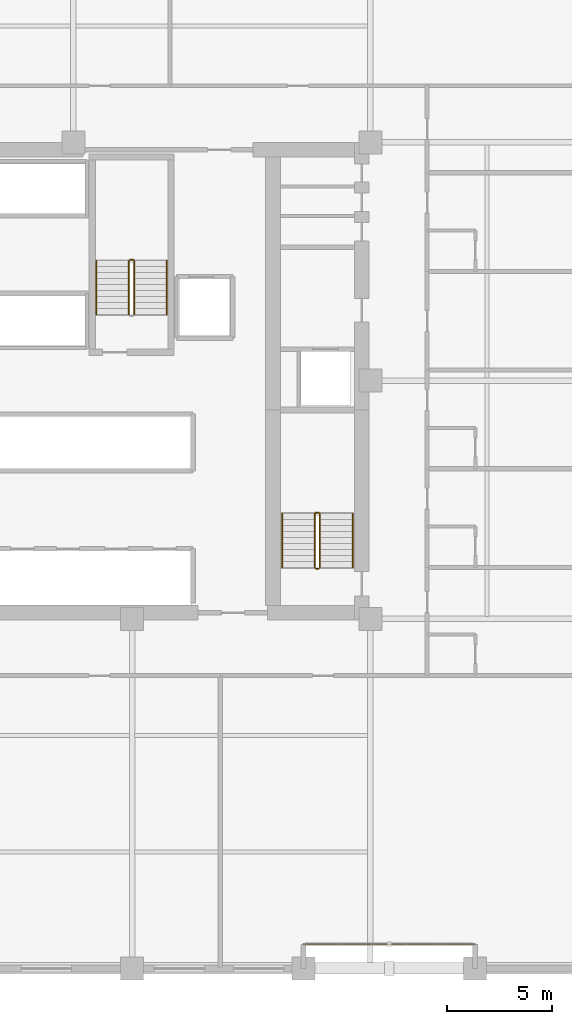
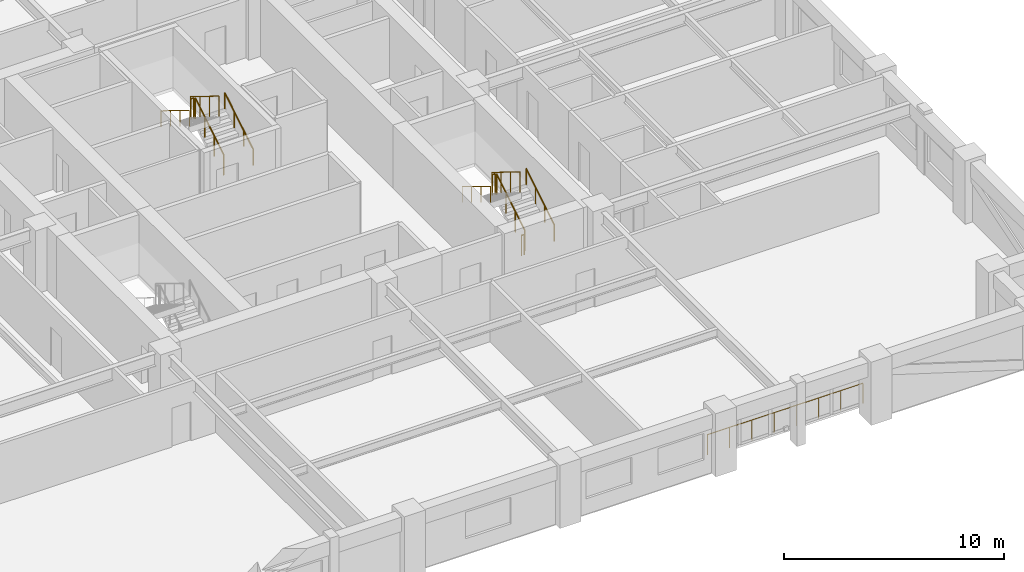
# One storey, part 11 of 11: 12 railings.
"""IFC4 building model written with IfcOpenShell, lengths in metres."""

import ifcopenshell
import ifcopenshell.guid

model = None  # the IFC model being written
_history = None  # IfcOwnerHistory: only IFC2X3 demands one
_inside = {}  # id of a spatial element -> (the spatial element, [elements in it])
_under = {}  # id of a project, library or spatial element -> (it, [spatial elements below it])
_declared = {}  # id of a project -> (the project, [libraries it declares])
_typed = {}  # id of a type object -> (the type object, [elements of that type])
_made_of = {}  # id of a material, layer set ... -> (it, [elements and type objects made of it])


def new_model(schema):
    """Start an empty IFC model of exactly this schema.

    Asked for "IFC4X3", IfcOpenShell would pick the latest addendum, in which some entities
    have other attributes; the version numbers below select the first issue.
    IFC2X3 requires an IfcOwnerHistory on every rooted entity: one is made here for all.
    """
    global model, _history
    if schema == "IFC4X3":
        model = ifcopenshell.file(schema_version=(4, 3, 0, 0))
    else:
        model = ifcopenshell.file(schema=schema)
    _inside.clear()
    _under.clear()
    _declared.clear()
    _typed.clear()
    _made_of.clear()
    _history = None
    if model.schema == "IFC2X3":
        org = make("IfcOrganization", Name="unknown")
        user = make(
            "IfcPersonAndOrganization",
            ThePerson=make("IfcPerson", FamilyName="unknown"),
            TheOrganization=org,
        )
        app = make(
            "IfcApplication",
            ApplicationDeveloper=org,
            Version="unknown",
            ApplicationFullName="unknown",
            ApplicationIdentifier="unknown",
        )
        _history = make(
            "IfcOwnerHistory",
            OwningUser=user,
            OwningApplication=app,
            ChangeAction="ADDED",
            CreationDate=0,
        )
    return model


def make(cls, **values):
    """One entity of the class cls with the attributes given. An attribute that is None is left unset."""
    return model.create_entity(
        cls, **{name: value for name, value in values.items() if value is not None}
    )


def rooted(cls, **values):
    """An entity with a GlobalId (a new one), such as an element, a storey or a relation."""
    return make(cls, GlobalId=ifcopenshell.guid.new(), OwnerHistory=_history, **values)


def si_unit(unit_type, name, prefix=None):
    """IfcSIUnit, for example si_unit("LENGTHUNIT", "METRE", prefix="MILLI")."""
    return make("IfcSIUnit", UnitType=unit_type, Prefix=prefix, Name=name)


def assignment(units):
    """IfcUnitAssignment: the units of a project."""
    return None if units is None else make("IfcUnitAssignment", Units=units)


def point(xyz):
    """IfcCartesianPoint."""
    return None if xyz is None else make("IfcCartesianPoint", Coordinates=xyz)


def direction(xyz):
    """IfcDirection."""
    return None if xyz is None else make("IfcDirection", DirectionRatios=xyz)


def frame(location, z_axis=None, x_axis=None):
    """IfcAxis2Placement3D, a coordinate frame: its origin and axes. An axis left out is left unset."""
    return make(
        "IfcAxis2Placement3D",
        Location=point(location),
        Axis=direction(z_axis),
        RefDirection=direction(x_axis),
    )


def frame_2d(location, x_axis=None):
    """IfcAxis2Placement2D, a coordinate frame in the plane: its origin and x axis."""
    return make(
        "IfcAxis2Placement2D", Location=point(location), RefDirection=direction(x_axis)
    )


def origin():
    """The frame at (0, 0, 0) with its axes left unset."""
    return frame((0.0, 0.0, 0.0))


def origin_2d():
    """The frame at (0, 0) in the plane with its x axis left unset."""
    return frame_2d((0.0, 0.0))


def place(relative_to, where):
    """IfcLocalPlacement: puts the frame where relative to a parent placement (None: the world)."""
    return make(
        "IfcLocalPlacement", PlacementRelTo=relative_to, RelativePlacement=where
    )


def context(
    kind, dimensions, precision=None, world=None, true_north=None, identifier=None
):
    """IfcGeometricRepresentationContext, for example the 3D "Model" context."""
    return make(
        "IfcGeometricRepresentationContext",
        ContextIdentifier=identifier,
        ContextType=kind,
        CoordinateSpaceDimension=dimensions,
        Precision=precision,
        WorldCoordinateSystem=world,
        TrueNorth=true_north,
    )


def subcontext(parent, identifier, kind, view, scale=None):
    """IfcGeometricRepresentationSubContext, for example "Body" below "Model"."""
    return make(
        "IfcGeometricRepresentationSubContext",
        ContextIdentifier=identifier,
        ContextType=kind,
        ParentContext=parent,
        TargetScale=scale,
        TargetView=view,
    )


def project(units=None, contexts=None):
    """IfcProject with its units and contexts."""
    return rooted(
        "IfcProject",
        Name="project",
        RepresentationContexts=contexts,
        UnitsInContext=assignment(units),
    )


def spatial(cls, under=None, at=None, **own):
    """A site, building, storey or space (cls), placed at a placement, below another one or the project."""
    s = rooted(cls, ObjectPlacement=at, **own)
    if under is not None:
        _under.setdefault(under.id(), (under, []))[1].append(s)
    return s


def profile(cls, at=None, kind="AREA", **sizes):
    """A parametric profile (cls). Its sizes go by their IFC names, for example OverallWidth=200.0."""
    return make(cls, ProfileType=kind, Position=at, **sizes)


def circle(**sizes):
    """IfcCircleProfileDef."""
    return profile("IfcCircleProfileDef", **sizes)


def extrude(swept, where, along, depth):
    """IfcExtrudedAreaSolid: the profile swept, set in the frame where, extruded along a direction by depth."""
    return make(
        "IfcExtrudedAreaSolid",
        SweptArea=swept,
        Position=where,
        ExtrudedDirection=direction(along),
        Depth=depth,
    )


def shape(context_of_items, identifier, shape_type, items):
    """IfcShapeRepresentation: the items that make up one representation, for example the "Body"."""
    return make(
        "IfcShapeRepresentation",
        ContextOfItems=context_of_items,
        RepresentationIdentifier=identifier,
        RepresentationType=shape_type,
        Items=items,
    )


def material(Name=None, Category=None):
    """IfcMaterial."""
    return make("IfcMaterial", Name=Name, Category=Category)


def made_of(thing, what):
    """Note that an element or type object is made of a material, layer set ...; save() writes the relation."""
    if what is not None:
        _made_of.setdefault(what.id(), (what, []))[1].append(thing)
    return thing


def type_object(cls, material=None, **own):
    """A type object (cls), such as IfcWallType, which elements share."""
    return made_of(rooted(cls, **own), material)


def element(
    cls,
    number,
    at=None,
    inside=None,
    cuts=None,
    type_object=None,
    material=None,
    context=None,
    identifier="Body",
    shape_type=None,
    held_by="IfcProductDefinitionShape",
    body=None,
    shapes=None,
    **own,
):
    """One element of the class cls, such as IfcWall. Its Tag is "e" and its number.

    at: its placement. inside: the storey or other place that contains it. cuts: it is an
    opening in that element (IfcRelVoidsElement). A single representation is given by context,
    identifier, shape_type and body (its items); several are given by shapes. held_by: the class
    of the entity that holds the representations. save() writes the other relations.
    """
    e = rooted(cls, Tag="e%d" % number, ObjectPlacement=at, **own)
    if body is not None:
        shapes = [shape(context, identifier, shape_type, body)]
    if shapes is not None:
        e.Representation = make(held_by, Representations=shapes)
    if inside is not None:
        _inside.setdefault(inside.id(), (inside, []))[1].append(e)
    if cuts is not None:
        rooted(
            "IfcRelVoidsElement", RelatingBuildingElement=cuts, RelatedOpeningElement=e
        )
    if type_object is not None:
        _typed.setdefault(type_object.id(), (type_object, []))[1].append(e)
    return made_of(e, material)


def aggregate(whole, parts):
    """IfcRelAggregates: a whole, such as a stair, and the parts it consists of."""
    return rooted("IfcRelAggregates", RelatingObject=whole, RelatedObjects=parts)


def save(model, path):
    """Write the relations noted so far, then the file.

    IfcRelAggregates (storeys below a building ...), IfcRelContainedInSpatialStructure (elements
    in a storey), IfcRelDefinesByType, IfcRelAssociatesMaterial and IfcRelDeclares: one each for
    every whole, place, type object, material and project.
    """
    for whole, parts in _under.values():
        aggregate(whole, parts)
    for where, things in _inside.values():
        rooted(
            "IfcRelContainedInSpatialStructure",
            RelatedElements=things,
            RelatingStructure=where,
        )
    for kind, things in _typed.values():
        rooted("IfcRelDefinesByType", RelatedObjects=things, RelatingType=kind)
    for what, things in _made_of.values():
        rooted("IfcRelAssociatesMaterial", RelatedObjects=things, RelatingMaterial=what)
    for by, libraries in _declared.values():
        rooted("IfcRelDeclares", RelatingContext=by, RelatedDefinitions=libraries)
    model.write(path)


model = new_model("IFC4")

# Units and contexts
model_context = context("Model", 3, precision=1e-05, world=origin(), true_north=direction((0.0, 1.0)))
body_context = subcontext(model_context, "Body", "Model", "MODEL_VIEW")
ifc_project = project(units=[si_unit("LENGTHUNIT", "METRE"), si_unit("AREAUNIT", "SQUARE_METRE"), si_unit("VOLUMEUNIT", "CUBIC_METRE"), si_unit("PLANEANGLEUNIT", "RADIAN"), si_unit("MASSUNIT", "GRAM", prefix="KILO")], contexts=[model_context])

# Site, building, storey
site_placement = place(None, origin())
site = spatial("IfcSite", under=ifc_project, at=site_placement, CompositionType="ELEMENT")
building_placement = place(site_placement, origin())
building = spatial("IfcBuilding", under=site, at=building_placement, Name="Nhamokura Convention Tower", CompositionType="ELEMENT")
storey_placement = place(building_placement, frame((0.0, 0.0, 70.35009765625)))
storey = spatial("IfcBuildingStorey", under=building, at=storey_placement, Name="L16", CompositionType="ELEMENT", Elevation=70.35009765625)

# Railings
ifc_material_1 = material(Name="Anodised bronze stainless steel", Category="steel")
railing_type_1 = type_object("IfcRailingType", Name="StairWallHandrail_900", PredefinedType="HANDRAIL", material=ifc_material_1)
railing_1_placement = place(storey_placement, frame((42.5, 23.10009765625, 0.1748046875)))
element("IfcRailing", 1, at=railing_1_placement, inside=storey, type_object=railing_type_1, Name="L16 ST-02 stair handrail 1", PredefinedType="HANDRAIL", context=body_context, shape_type="SweptSolid", body=[
    extrude(circle(Radius=0.02392578125, at=origin_2d()), frame((0.0, 0.0, 0.8759765625), z_axis=(0.0, 0.85213695991, 0.523318833556), x_axis=(-1.0, 0.0, 0.0)), (0.0, 0.0, 1.0), 3.010009765625),
    extrude(circle(Radius=0.02099609375, at=origin_2d()), origin(), (0.0, 0.0, 1.0), 0.851806640625),
    extrude(circle(Radius=0.02099609375, at=origin_2d()), frame((0.0, 0.85498046875, 0.525146484375)), (0.0, 0.0, 1.0), 0.851806640625),
    extrude(circle(Radius=0.02099609375, at=origin_2d()), frame((0.0, 1.7099609375, 1.050048828125)), (0.0, 0.0, 1.0), 0.851806640625),
    extrude(circle(Radius=0.02099609375, at=origin_2d()), frame((0.0, 2.56494140625, 1.5751953125)), (0.0, 0.0, 1.0), 0.851806640625),
])
railing_2_placement = place(storey_placement, frame((39.14990234375, 25.6650390625, 1.9248046875)))
element("IfcRailing", 2, at=railing_2_placement, inside=storey, type_object=railing_type_1, Name="L16 ST-02 stair handrail 2", PredefinedType="HANDRAIL", context=body_context, shape_type="SweptSolid", body=[
    extrude(circle(Radius=0.02392578125, at=origin_2d()), frame((0.0, 0.0, 0.8759765625), z_axis=(0.0, -0.85213695991, 0.523318833556), x_axis=(1.0, 0.0, 0.0)), (0.0, 0.0, 1.0), 3.010009765625),
    extrude(circle(Radius=0.02099609375, at=origin_2d()), origin(), (0.0, 0.0, 1.0), 0.851806640625),
    extrude(circle(Radius=0.02099609375, at=origin_2d()), frame((0.0, -0.85498046875, 0.525146484375)), (0.0, 0.0, 1.0), 0.851806640625),
    extrude(circle(Radius=0.02099609375, at=origin_2d()), frame((0.0, -1.7099609375, 1.050048828125)), (0.0, 0.0, 1.0), 0.851806640625),
    extrude(circle(Radius=0.02099609375, at=origin_2d()), frame((0.0, -2.56494140625, 1.5751953125)), (0.0, 0.0, 1.0), 0.851806640625),
])
railing_3_placement = place(storey_placement, frame((33.64990234375, 35.14990234375, 0.1748046875)))
element("IfcRailing", 3, at=railing_3_placement, inside=storey, type_object=railing_type_1, Name="L16 ST-03 stair handrail 1", PredefinedType="HANDRAIL", context=body_context, shape_type="SweptSolid", body=[
    extrude(circle(Radius=0.02392578125, at=origin_2d()), frame((0.0, 0.0, 0.8759765625), z_axis=(0.0, 0.852159170481, 0.523282665646), x_axis=(-1.0, 0.0, 0.0)), (0.0, 0.0, 1.0), 3.01025390625),
    extrude(circle(Radius=0.02099609375, at=origin_2d()), origin(), (0.0, 0.0, 1.0), 0.851806640625),
    extrude(circle(Radius=0.02099609375, at=origin_2d()), frame((0.0, 0.85498046875, 0.525146484375)), (0.0, 0.0, 1.0), 0.851806640625),
    extrude(circle(Radius=0.02099609375, at=origin_2d()), frame((0.0, 1.710205078125, 1.050048828125)), (0.0, 0.0, 1.0), 0.851806640625),
    extrude(circle(Radius=0.02099609375, at=origin_2d()), frame((0.0, 2.565185546875, 1.5751953125)), (0.0, 0.0, 1.0), 0.851806640625),
])
railing_4_placement = place(storey_placement, frame((30.300048828125, 37.715087890625, 1.9248046875)))
element("IfcRailing", 4, at=railing_4_placement, inside=storey, type_object=railing_type_1, Name="L16 ST-03 stair handrail 2", PredefinedType="HANDRAIL", context=body_context, shape_type="SweptSolid", body=[
    extrude(circle(Radius=0.02392578125, at=origin_2d()), frame((0.0, 0.0, 0.8759765625), z_axis=(0.0, -0.852159170481, 0.523282665646), x_axis=(1.0, 0.0, 0.0)), (0.0, 0.0, 1.0), 3.01025390625),
    extrude(circle(Radius=0.02099609375, at=origin_2d()), origin(), (0.0, 0.0, 1.0), 0.851806640625),
    extrude(circle(Radius=0.02099609375, at=origin_2d()), frame((0.0, -0.85498046875, 0.525146484375)), (0.0, 0.0, 1.0), 0.851806640625),
    extrude(circle(Radius=0.02099609375, at=origin_2d()), frame((0.0, -1.710205078125, 1.050048828125)), (0.0, 0.0, 1.0), 0.851806640625),
    extrude(circle(Radius=0.02099609375, at=origin_2d()), frame((0.0, -2.565185546875, 1.5751953125)), (0.0, 0.0, 1.0), 0.851806640625),
])
ifc_material_2 = material(Name="Painted tubular steel", Category="steel")
railing_type_2 = type_object("IfcRailingType", Name="StairWellGuardrail_1150", PredefinedType="GUARDRAIL", material=ifc_material_2)
railing_5_placement = place(storey_placement, frame((40.949951171875, 23.10009765625, 0.1748046875)))
element("IfcRailing", 5, at=railing_5_placement, inside=storey, type_object=railing_type_2, Name="L16 ST-02 stair guard 1", PredefinedType="GUARDRAIL", context=body_context, shape_type="SweptSolid", body=[
    extrude(circle(Radius=0.02392578125, at=origin_2d()), frame((0.0, 0.0, 1.1259765625), z_axis=(0.0, 0.85213695991, 0.523318833556), x_axis=(-1.0, 0.0, 0.0)), (0.0, 0.0, 1.0), 3.010009765625),
    extrude(circle(Radius=0.02099609375, at=origin_2d()), origin(), (0.0, 0.0, 1.0), 1.101806640625),
    extrude(circle(Radius=0.02099609375, at=origin_2d()), frame((0.0, 0.85498046875, 0.525146484375)), (0.0, 0.0, 1.0), 1.101806640625),
    extrude(circle(Radius=0.02099609375, at=origin_2d()), frame((0.0, 1.7099609375, 1.050048828125)), (0.0, 0.0, 1.0), 1.101806640625),
    extrude(circle(Radius=0.02099609375, at=origin_2d()), frame((0.0, 2.56494140625, 1.5751953125)), (0.0, 0.0, 1.0), 1.101806640625),
])
railing_6_placement = place(storey_placement, frame((40.89990234375, 25.715087890625, 1.75)))
element("IfcRailing", 6, at=railing_6_placement, inside=storey, type_object=railing_type_2, Name="L16 ST-02 stair guard 2", PredefinedType="GUARDRAIL", context=body_context, shape_type="SweptSolid", body=[
    extrude(circle(Radius=0.02392578125, at=origin_2d()), frame((0.0, 0.0, 1.1259765625), z_axis=(-1.0, 0.0, 0.0), x_axis=(0.0, -1.0, 0.0)), (0.0, 0.0, 1.0), 0.14990234375),
    extrude(circle(Radius=0.02099609375, at=origin_2d()), origin(), (0.0, 0.0, 1.0), 1.101806640625),
    extrude(circle(Radius=0.02099609375, at=origin_2d()), frame((-0.14990234375, 0.0, 0.0)), (0.0, 0.0, 1.0), 1.101806640625),
])
railing_7_placement = place(storey_placement, frame((40.699951171875, 25.6650390625, 1.9248046875)))
element("IfcRailing", 7, at=railing_7_placement, inside=storey, type_object=railing_type_2, Name="L16 ST-02 stair guard 3", PredefinedType="GUARDRAIL", context=body_context, shape_type="SweptSolid", body=[
    extrude(circle(Radius=0.02392578125, at=origin_2d()), frame((0.0, 0.0, 1.1259765625), z_axis=(0.0, -0.85213695991, 0.523318833556), x_axis=(1.0, 0.0, 0.0)), (0.0, 0.0, 1.0), 3.010009765625),
    extrude(circle(Radius=0.02099609375, at=origin_2d()), origin(), (0.0, 0.0, 1.0), 1.101806640625),
    extrude(circle(Radius=0.02099609375, at=origin_2d()), frame((0.0, -0.85498046875, 0.525146484375)), (0.0, 0.0, 1.0), 1.101806640625),
    extrude(circle(Radius=0.02099609375, at=origin_2d()), frame((0.0, -1.7099609375, 1.050048828125)), (0.0, 0.0, 1.0), 1.101806640625),
    extrude(circle(Radius=0.02099609375, at=origin_2d()), frame((0.0, -2.56494140625, 1.5751953125)), (0.0, 0.0, 1.0), 1.101806640625),
])
railing_8_placement = place(storey_placement, frame((40.89990234375, 23.050048828125, 0.0)))
element("IfcRailing", 8, at=railing_8_placement, inside=storey, type_object=railing_type_2, Name="L16 ST-02 stair guard 4", PredefinedType="GUARDRAIL", context=body_context, shape_type="SweptSolid", body=[
    extrude(circle(Radius=0.02392578125, at=origin_2d()), frame((0.0, 0.0, 1.1259765625), z_axis=(-1.0, 0.0, 0.0), x_axis=(0.0, -1.0, 0.0)), (0.0, 0.0, 1.0), 0.14990234375),
    extrude(circle(Radius=0.02099609375, at=origin_2d()), origin(), (0.0, 0.0, 1.0), 1.101806640625),
    extrude(circle(Radius=0.02099609375, at=origin_2d()), frame((-0.14990234375, 0.0, 0.0)), (0.0, 0.0, 1.0), 1.101806640625),
])
railing_9_placement = place(storey_placement, frame((32.10009765625, 35.14990234375, 0.1748046875)))
element("IfcRailing", 9, at=railing_9_placement, inside=storey, type_object=railing_type_2, Name="L16 ST-03 stair guard 1", PredefinedType="GUARDRAIL", context=body_context, shape_type="SweptSolid", body=[
    extrude(circle(Radius=0.02392578125, at=origin_2d()), frame((0.0, 0.0, 1.1259765625), z_axis=(0.0, 0.852159170481, 0.523282665646), x_axis=(-1.0, 0.0, 0.0)), (0.0, 0.0, 1.0), 3.01025390625),
    extrude(circle(Radius=0.02099609375, at=origin_2d()), origin(), (0.0, 0.0, 1.0), 1.101806640625),
    extrude(circle(Radius=0.02099609375, at=origin_2d()), frame((0.0, 0.85498046875, 0.525146484375)), (0.0, 0.0, 1.0), 1.101806640625),
    extrude(circle(Radius=0.02099609375, at=origin_2d()), frame((0.0, 1.710205078125, 1.050048828125)), (0.0, 0.0, 1.0), 1.101806640625),
    extrude(circle(Radius=0.02099609375, at=origin_2d()), frame((0.0, 2.565185546875, 1.5751953125)), (0.0, 0.0, 1.0), 1.101806640625),
])
railing_10_placement = place(storey_placement, frame((32.050048828125, 37.764892578125, 1.75)))
element("IfcRailing", 10, at=railing_10_placement, inside=storey, type_object=railing_type_2, Name="L16 ST-03 stair guard 2", PredefinedType="GUARDRAIL", context=body_context, shape_type="SweptSolid", body=[
    extrude(circle(Radius=0.02392578125, at=origin_2d()), frame((0.0, 0.0, 1.1259765625), z_axis=(-1.0, 0.0, 0.0), x_axis=(0.0, -1.0, 0.0)), (0.0, 0.0, 1.0), 0.150146484375),
    extrude(circle(Radius=0.02099609375, at=origin_2d()), origin(), (0.0, 0.0, 1.0), 1.101806640625),
    extrude(circle(Radius=0.02099609375, at=origin_2d()), frame((-0.150146484375, 0.0, 0.0)), (0.0, 0.0, 1.0), 1.101806640625),
])
railing_11_placement = place(storey_placement, frame((31.85009765625, 37.715087890625, 1.9248046875)))
element("IfcRailing", 11, at=railing_11_placement, inside=storey, type_object=railing_type_2, Name="L16 ST-03 stair guard 3", PredefinedType="GUARDRAIL", context=body_context, shape_type="SweptSolid", body=[
    extrude(circle(Radius=0.02392578125, at=origin_2d()), frame((0.0, 0.0, 1.1259765625), z_axis=(0.0, -0.852159170481, 0.523282665646), x_axis=(1.0, 0.0, 0.0)), (0.0, 0.0, 1.0), 3.01025390625),
    extrude(circle(Radius=0.02099609375, at=origin_2d()), origin(), (0.0, 0.0, 1.0), 1.101806640625),
    extrude(circle(Radius=0.02099609375, at=origin_2d()), frame((0.0, -0.85498046875, 0.525146484375)), (0.0, 0.0, 1.0), 1.101806640625),
    extrude(circle(Radius=0.02099609375, at=origin_2d()), frame((0.0, -1.710205078125, 1.050048828125)), (0.0, 0.0, 1.0), 1.101806640625),
    extrude(circle(Radius=0.02099609375, at=origin_2d()), frame((0.0, -2.565185546875, 1.5751953125)), (0.0, 0.0, 1.0), 1.101806640625),
])
ifc_material_3 = material(Name="Anodised bronze stainless steel", Category="steel")
railing_type_3 = type_object("IfcRailingType", Name="TerraceGuardrail_1150", PredefinedType="GUARDRAIL", material=ifc_material_3)
railing_12_placement = place(storey_placement, frame((48.333251953125, 5.14990234375, 0.0)))
element("IfcRailing", 12, at=railing_12_placement, inside=storey, type_object=railing_type_3, Name="L16 Scale-Slot Edge Guardrail SOUTH 4", PredefinedType="GUARDRAIL", context=body_context, shape_type="SweptSolid", body=[
    extrude(circle(Radius=0.02392578125, at=origin_2d()), frame((0.0, 0.0, 1.1259765625), z_axis=(-1.0, 0.0, 0.0), x_axis=(0.0, -1.0, 0.0)), (0.0, 0.0, 1.0), 8.16650390625),
    extrude(circle(Radius=0.02099609375, at=origin_2d()), origin(), (0.0, 0.0, 1.0), 1.101806640625),
    extrude(circle(Radius=0.02099609375, at=origin_2d()), frame((-1.166748046875, 0.0, 0.0)), (0.0, 0.0, 1.0), 1.101806640625),
    extrude(circle(Radius=0.02099609375, at=origin_2d()), frame((-2.333251953125, 0.0, 0.0)), (0.0, 0.0, 1.0), 1.101806640625),
    extrude(circle(Radius=0.02099609375, at=origin_2d()), frame((-3.5, 0.0, 0.0)), (0.0, 0.0, 1.0), 1.101806640625),
    extrude(circle(Radius=0.02099609375, at=origin_2d()), frame((-4.66650390625, 0.0, 0.0)), (0.0, 0.0, 1.0), 1.101806640625),
    extrude(circle(Radius=0.02099609375, at=origin_2d()), frame((-5.833251953125, 0.0, 0.0)), (0.0, 0.0, 1.0), 1.101806640625),
    extrude(circle(Radius=0.02099609375, at=origin_2d()), frame((-6.999755859375, 0.0, 0.0)), (0.0, 0.0, 1.0), 1.101806640625),
    extrude(circle(Radius=0.02099609375, at=origin_2d()), frame((-8.16650390625, 0.0, 0.0)), (0.0, 0.0, 1.0), 1.101806640625),
])

save(model, "model.ifc")
